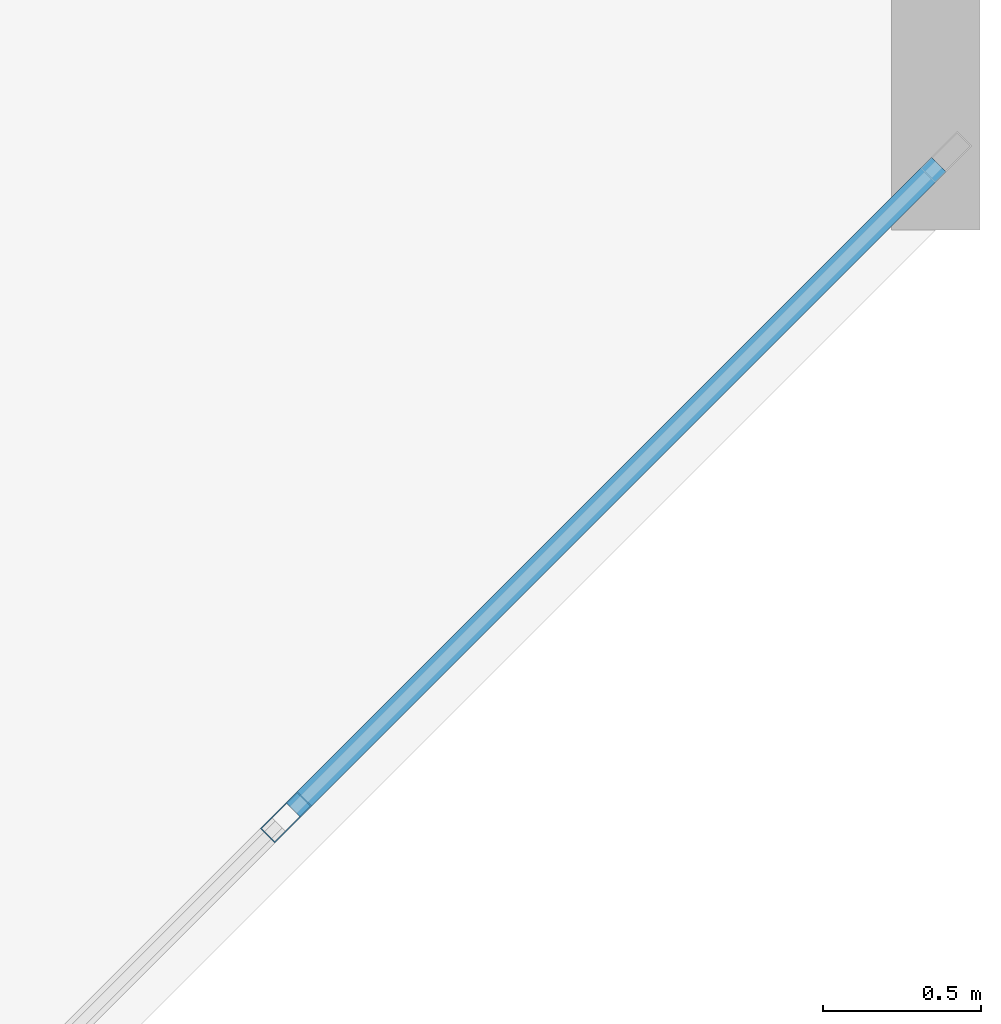
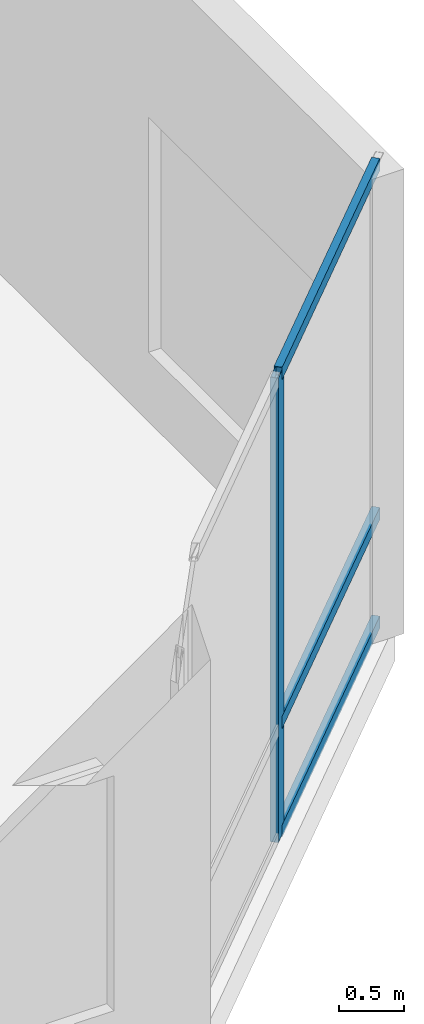
# One storey, part 6 of 20: 4 members, 1 element without a shape of its own.
"""IFC4 building model written with IfcOpenShell, lengths in metres."""

import ifcopenshell
import ifcopenshell.guid

model = None  # the IFC model being written
_history = None  # IfcOwnerHistory: only IFC2X3 demands one
_inside = {}  # id of a spatial element -> (the spatial element, [elements in it])
_under = {}  # id of a project, library or spatial element -> (it, [spatial elements below it])
_declared = {}  # id of a project -> (the project, [libraries it declares])
_typed = {}  # id of a type object -> (the type object, [elements of that type])
_made_of = {}  # id of a material, layer set ... -> (it, [elements and type objects made of it])


def new_model(schema):
    """Start an empty IFC model of exactly this schema.

    Asked for "IFC4X3", IfcOpenShell would pick the latest addendum, in which some entities
    have other attributes; the version numbers below select the first issue.
    IFC2X3 requires an IfcOwnerHistory on every rooted entity: one is made here for all.
    """
    global model, _history
    if schema == "IFC4X3":
        model = ifcopenshell.file(schema_version=(4, 3, 0, 0))
    else:
        model = ifcopenshell.file(schema=schema)
    _inside.clear()
    _under.clear()
    _declared.clear()
    _typed.clear()
    _made_of.clear()
    _history = None
    if model.schema == "IFC2X3":
        org = make("IfcOrganization", Name="unknown")
        user = make(
            "IfcPersonAndOrganization",
            ThePerson=make("IfcPerson", FamilyName="unknown"),
            TheOrganization=org,
        )
        app = make(
            "IfcApplication",
            ApplicationDeveloper=org,
            Version="unknown",
            ApplicationFullName="unknown",
            ApplicationIdentifier="unknown",
        )
        _history = make(
            "IfcOwnerHistory",
            OwningUser=user,
            OwningApplication=app,
            ChangeAction="ADDED",
            CreationDate=0,
        )
    return model


def make(cls, **values):
    """One entity of the class cls with the attributes given. An attribute that is None is left unset."""
    return model.create_entity(
        cls, **{name: value for name, value in values.items() if value is not None}
    )


def rooted(cls, **values):
    """An entity with a GlobalId (a new one), such as an element, a storey or a relation."""
    return make(cls, GlobalId=ifcopenshell.guid.new(), OwnerHistory=_history, **values)


def si_unit(unit_type, name, prefix=None):
    """IfcSIUnit, for example si_unit("LENGTHUNIT", "METRE", prefix="MILLI")."""
    return make("IfcSIUnit", UnitType=unit_type, Prefix=prefix, Name=name)


def assignment(units):
    """IfcUnitAssignment: the units of a project."""
    return None if units is None else make("IfcUnitAssignment", Units=units)


def point(xyz):
    """IfcCartesianPoint."""
    return None if xyz is None else make("IfcCartesianPoint", Coordinates=xyz)


def direction(xyz):
    """IfcDirection."""
    return None if xyz is None else make("IfcDirection", DirectionRatios=xyz)


def frame(location, z_axis=None, x_axis=None):
    """IfcAxis2Placement3D, a coordinate frame: its origin and axes. An axis left out is left unset."""
    return make(
        "IfcAxis2Placement3D",
        Location=point(location),
        Axis=direction(z_axis),
        RefDirection=direction(x_axis),
    )


def frame_2d(location, x_axis=None):
    """IfcAxis2Placement2D, a coordinate frame in the plane: its origin and x axis."""
    return make(
        "IfcAxis2Placement2D", Location=point(location), RefDirection=direction(x_axis)
    )


def origin():
    """The frame at (0, 0, 0) with its axes left unset."""
    return frame((0.0, 0.0, 0.0))


def origin_2d():
    """The frame at (0, 0) in the plane with its x axis left unset."""
    return frame_2d((0.0, 0.0))


def place(relative_to, where):
    """IfcLocalPlacement: puts the frame where relative to a parent placement (None: the world)."""
    return make(
        "IfcLocalPlacement", PlacementRelTo=relative_to, RelativePlacement=where
    )


def context(
    kind, dimensions, precision=None, world=None, true_north=None, identifier=None
):
    """IfcGeometricRepresentationContext, for example the 3D "Model" context."""
    return make(
        "IfcGeometricRepresentationContext",
        ContextIdentifier=identifier,
        ContextType=kind,
        CoordinateSpaceDimension=dimensions,
        Precision=precision,
        WorldCoordinateSystem=world,
        TrueNorth=true_north,
    )


def subcontext(parent, identifier, kind, view, scale=None):
    """IfcGeometricRepresentationSubContext, for example "Body" below "Model"."""
    return make(
        "IfcGeometricRepresentationSubContext",
        ContextIdentifier=identifier,
        ContextType=kind,
        ParentContext=parent,
        TargetScale=scale,
        TargetView=view,
    )


def project(units=None, contexts=None):
    """IfcProject with its units and contexts."""
    return rooted(
        "IfcProject",
        Name="project",
        RepresentationContexts=contexts,
        UnitsInContext=assignment(units),
    )


def spatial(cls, under=None, at=None, **own):
    """A site, building, storey or space (cls), placed at a placement, below another one or the project."""
    s = rooted(cls, ObjectPlacement=at, **own)
    if under is not None:
        _under.setdefault(under.id(), (under, []))[1].append(s)
    return s


def profile(cls, at=None, kind="AREA", **sizes):
    """A parametric profile (cls). Its sizes go by their IFC names, for example OverallWidth=200.0."""
    return make(cls, ProfileType=kind, Position=at, **sizes)


def hollow_rectangle(**sizes):
    """IfcRectangleHollowProfileDef."""
    return profile("IfcRectangleHollowProfileDef", **sizes)


def extrude(swept, where, along, depth):
    """IfcExtrudedAreaSolid: the profile swept, set in the frame where, extruded along a direction by depth."""
    return make(
        "IfcExtrudedAreaSolid",
        SweptArea=swept,
        Position=where,
        ExtrudedDirection=direction(along),
        Depth=depth,
    )


def shape(context_of_items, identifier, shape_type, items):
    """IfcShapeRepresentation: the items that make up one representation, for example the "Body"."""
    return make(
        "IfcShapeRepresentation",
        ContextOfItems=context_of_items,
        RepresentationIdentifier=identifier,
        RepresentationType=shape_type,
        Items=items,
    )


def material(Name=None, Category=None):
    """IfcMaterial."""
    return make("IfcMaterial", Name=Name, Category=Category)


def layer(
    of_material, thickness, ventilated=None, Name=None, Category=None, Priority=None
):
    """IfcMaterialLayer: one layer of a wall or slab, of a material (None: an air gap)."""
    return make(
        "IfcMaterialLayer",
        Material=of_material,
        LayerThickness=thickness,
        IsVentilated=ventilated,
        Name=Name,
        Category=Category,
        Priority=Priority,
    )


def layer_set(layers, Name=None):
    """IfcMaterialLayerSet."""
    return make("IfcMaterialLayerSet", MaterialLayers=layers, LayerSetName=Name)


def material_profile(
    of_material, cross_section, Name=None, Category=None, Priority=None
):
    """IfcMaterialProfile: a cross section and its material."""
    return make(
        "IfcMaterialProfile",
        Name=Name,
        Material=of_material,
        Profile=cross_section,
        Priority=Priority,
        Category=Category,
    )


def profile_set(profiles, Name=None, composite=None):
    """IfcMaterialProfileSet."""
    return make(
        "IfcMaterialProfileSet",
        Name=Name,
        MaterialProfiles=profiles,
        CompositeProfile=composite,
    )


def made_of(thing, what):
    """Note that an element or type object is made of a material, layer set ...; save() writes the relation."""
    if what is not None:
        _made_of.setdefault(what.id(), (what, []))[1].append(thing)
    return thing


def type_object(cls, material=None, **own):
    """A type object (cls), such as IfcWallType, which elements share."""
    return made_of(rooted(cls, **own), material)


def element(
    cls,
    number,
    at=None,
    inside=None,
    cuts=None,
    type_object=None,
    material=None,
    context=None,
    identifier="Body",
    shape_type=None,
    held_by="IfcProductDefinitionShape",
    body=None,
    shapes=None,
    **own,
):
    """One element of the class cls, such as IfcWall. Its Tag is "e" and its number.

    at: its placement. inside: the storey or other place that contains it. cuts: it is an
    opening in that element (IfcRelVoidsElement). A single representation is given by context,
    identifier, shape_type and body (its items); several are given by shapes. held_by: the class
    of the entity that holds the representations. save() writes the other relations.
    """
    e = rooted(cls, Tag="e%d" % number, ObjectPlacement=at, **own)
    if body is not None:
        shapes = [shape(context, identifier, shape_type, body)]
    if shapes is not None:
        e.Representation = make(held_by, Representations=shapes)
    if inside is not None:
        _inside.setdefault(inside.id(), (inside, []))[1].append(e)
    if cuts is not None:
        rooted(
            "IfcRelVoidsElement", RelatingBuildingElement=cuts, RelatedOpeningElement=e
        )
    if type_object is not None:
        _typed.setdefault(type_object.id(), (type_object, []))[1].append(e)
    return made_of(e, material)


def aggregate(whole, parts):
    """IfcRelAggregates: a whole, such as a stair, and the parts it consists of."""
    return rooted("IfcRelAggregates", RelatingObject=whole, RelatedObjects=parts)


def save(model, path):
    """Write the relations noted so far, then the file.

    IfcRelAggregates (storeys below a building ...), IfcRelContainedInSpatialStructure (elements
    in a storey), IfcRelDefinesByType, IfcRelAssociatesMaterial and IfcRelDeclares: one each for
    every whole, place, type object, material and project.
    """
    for whole, parts in _under.values():
        aggregate(whole, parts)
    for where, things in _inside.values():
        rooted(
            "IfcRelContainedInSpatialStructure",
            RelatedElements=things,
            RelatingStructure=where,
        )
    for kind, things in _typed.values():
        rooted("IfcRelDefinesByType", RelatedObjects=things, RelatingType=kind)
    for what, things in _made_of.values():
        rooted("IfcRelAssociatesMaterial", RelatedObjects=things, RelatingMaterial=what)
    for by, libraries in _declared.values():
        rooted("IfcRelDeclares", RelatingContext=by, RelatedDefinitions=libraries)
    model.write(path)


model = new_model("IFC4")

# Units and contexts
model_context = context("Model", 3, precision=1e-05, world=origin(), true_north=direction((0.0, 1.0)))
body_context = subcontext(model_context, "Body", "Model", "MODEL_VIEW")
ifc_project = project(units=[si_unit("LENGTHUNIT", "METRE"), si_unit("AREAUNIT", "SQUARE_METRE"), si_unit("VOLUMEUNIT", "CUBIC_METRE"), si_unit("PLANEANGLEUNIT", "RADIAN"), si_unit("MASSUNIT", "GRAM", prefix="KILO")], contexts=[model_context])

# Site, building, storey
site_placement = place(None, origin())
site = spatial("IfcSite", under=ifc_project, at=site_placement, CompositionType="ELEMENT")
building_placement = place(site_placement, origin())
building = spatial("IfcBuilding", under=site, at=building_placement, Name="Kestravale Grand Hotel", CompositionType="ELEMENT")
storey_placement = place(building_placement, frame((0.0, 0.0, 231.89990234375)))
storey = spatial("IfcBuildingStorey", under=building, at=storey_placement, Name="L58", CompositionType="ELEMENT", Elevation=231.89990234375)

# Curtain wall, members
ifc_material_1 = material(Name="Thermally broken champagne-bronze aluminium and low-E glazing", Category="aluminium")
ifc_layer = layer(ifc_material_1, 0.179931640625)
ifc_layer_set = layer_set([ifc_layer], Name="CW-Z3")
curtain_wall_type = type_object("IfcCurtainWallType", Name="CW-Z3", PredefinedType="NOTDEFINED", material=ifc_layer_set)
curtain_wall_placement = place(storey_placement, origin())
curtain_wall = element("IfcCurtainWall", 1, at=curtain_wall_placement, inside=storey, type_object=curtain_wall_type, Name="L58 unitised curtain wall 8", PredefinedType="NOTDEFINED")
ifc_material_2 = material(Name="Aluminium 6063-T6 anodised", Category="aluminium")
ifc_material_profile_1 = material_profile(ifc_material_2, hollow_rectangle(XDim=0.06494140625, YDim=0.1650390625, WallThickness=0.00341796875, at=origin_2d()))
ifc_profile_set_1 = profile_set([ifc_material_profile_1], Name="Aluminium 6063-T6 anodised")
member_type_1 = type_object("IfcMemberType", Name="CW-MUL-165", PredefinedType="MULLION", material=ifc_profile_set_1)
member_1_placement = place(storey_placement, frame((69.40087890625, 12.09912109375, 0.0), z_axis=(0.0, 0.0, 1.0), x_axis=(-0.707106781187, 0.707106781187, 0.0)))
member_1 = element("IfcMember", 2, at=member_1_placement, type_object=member_type_1, Name="CW-Z3 mullion 2", PredefinedType="MULLION", context=body_context, shape_type="SweptSolid", body=[
    extrude(hollow_rectangle(XDim=0.06494140625, YDim=0.1650390625, WallThickness=0.00341796875, at=origin_2d()), origin(), (0.0, 0.0, 1.0), 4.35009765625),
])
ifc_material_3 = material(Name="Aluminium 6063-T6 anodised", Category="aluminium")
ifc_material_profile_2 = material_profile(ifc_material_3, hollow_rectangle(XDim=0.06494140625, YDim=0.114990234375, WallThickness=0.003173828125, at=origin_2d()))
ifc_profile_set_2 = profile_set([ifc_material_profile_2], Name="Aluminium 6063-T6 anodised")
member_type_2 = type_object("IfcMemberType", Name="CW-TRN-115", PredefinedType="USERDEFINED", material=ifc_profile_set_2)
member_2_placement = place(storey_placement, frame((69.424072265625, 12.1220703125, 0.03271484375), z_axis=(0.707106781187, 0.707106781187, 0.0), x_axis=(-0.707106781187, 0.707106781187, 0.0)))
member_2 = element("IfcMember", 3, at=member_2_placement, type_object=member_type_2, Name="CW-Z3 transom 2.1", ObjectType="TRANSOM", PredefinedType="USERDEFINED", context=body_context, shape_type="SweptSolid", body=[
    extrude(hollow_rectangle(XDim=0.06494140625, YDim=0.114990234375, WallThickness=0.003173828125, at=origin_2d()), origin(), (0.0, 0.0, 1.0), 2.892333984375),
])
member_3_placement = place(storey_placement, frame((69.424072265625, 12.1220703125, 1.050048828125), z_axis=(0.707106781187, 0.707106781187, 0.0), x_axis=(-0.707106781187, 0.707106781187, 0.0)))
member_3 = element("IfcMember", 4, at=member_3_placement, type_object=member_type_2, Name="CW-Z3 transom 2.2", ObjectType="TRANSOM", PredefinedType="USERDEFINED", context=body_context, shape_type="SweptSolid", body=[
    extrude(hollow_rectangle(XDim=0.06494140625, YDim=0.114990234375, WallThickness=0.003173828125, at=origin_2d()), origin(), (0.0, 0.0, 1.0), 2.892333984375),
])
member_4_placement = place(storey_placement, frame((69.424072265625, 12.1220703125, 4.317626953125), z_axis=(0.707106781187, 0.707106781187, 0.0), x_axis=(-0.707106781187, 0.707106781187, 0.0)))
member_4 = element("IfcMember", 5, at=member_4_placement, type_object=member_type_2, Name="CW-Z3 transom 2.3", ObjectType="TRANSOM", PredefinedType="USERDEFINED", context=body_context, shape_type="SweptSolid", body=[
    extrude(hollow_rectangle(XDim=0.06494140625, YDim=0.114990234375, WallThickness=0.003173828125, at=origin_2d()), origin(), (0.0, 0.0, 1.0), 2.892333984375),
])
aggregate(curtain_wall, [member_1, member_2, member_3, member_4])

save(model, "model.ifc")
